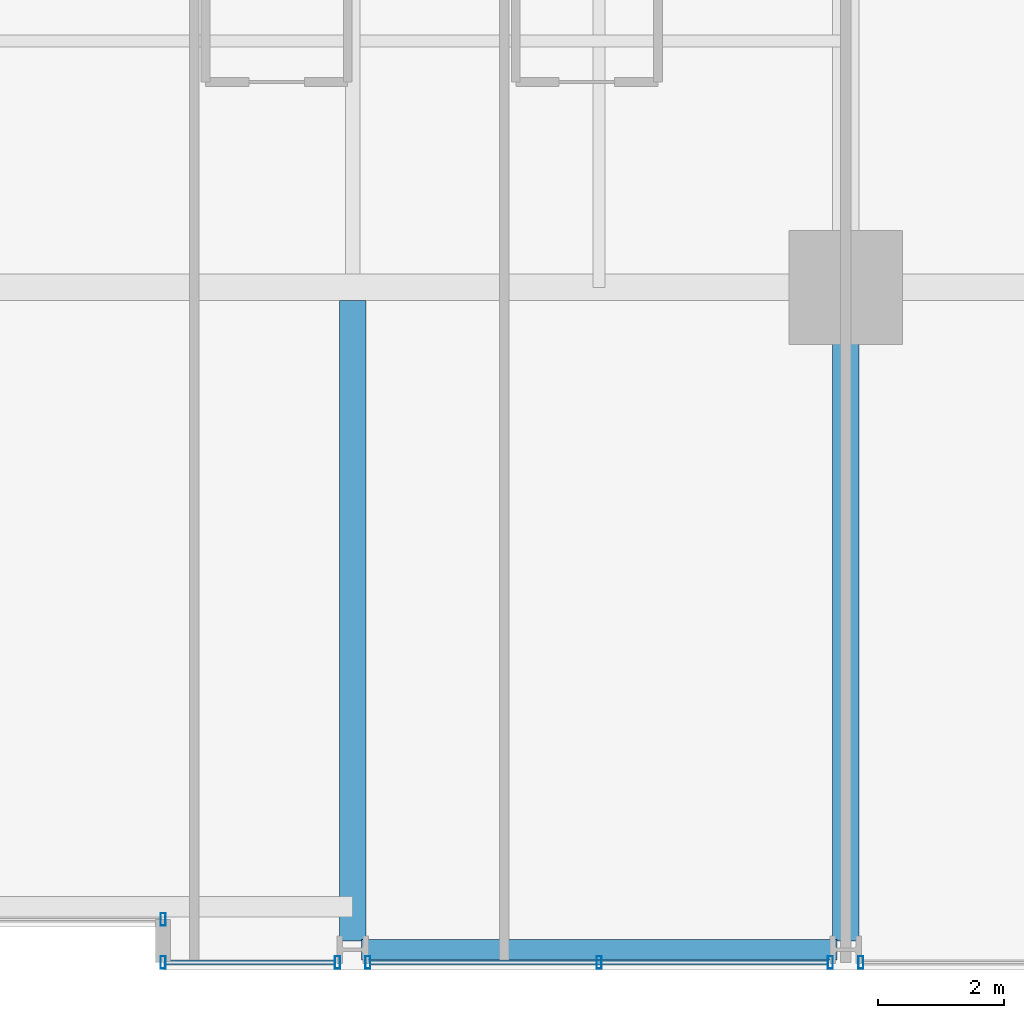
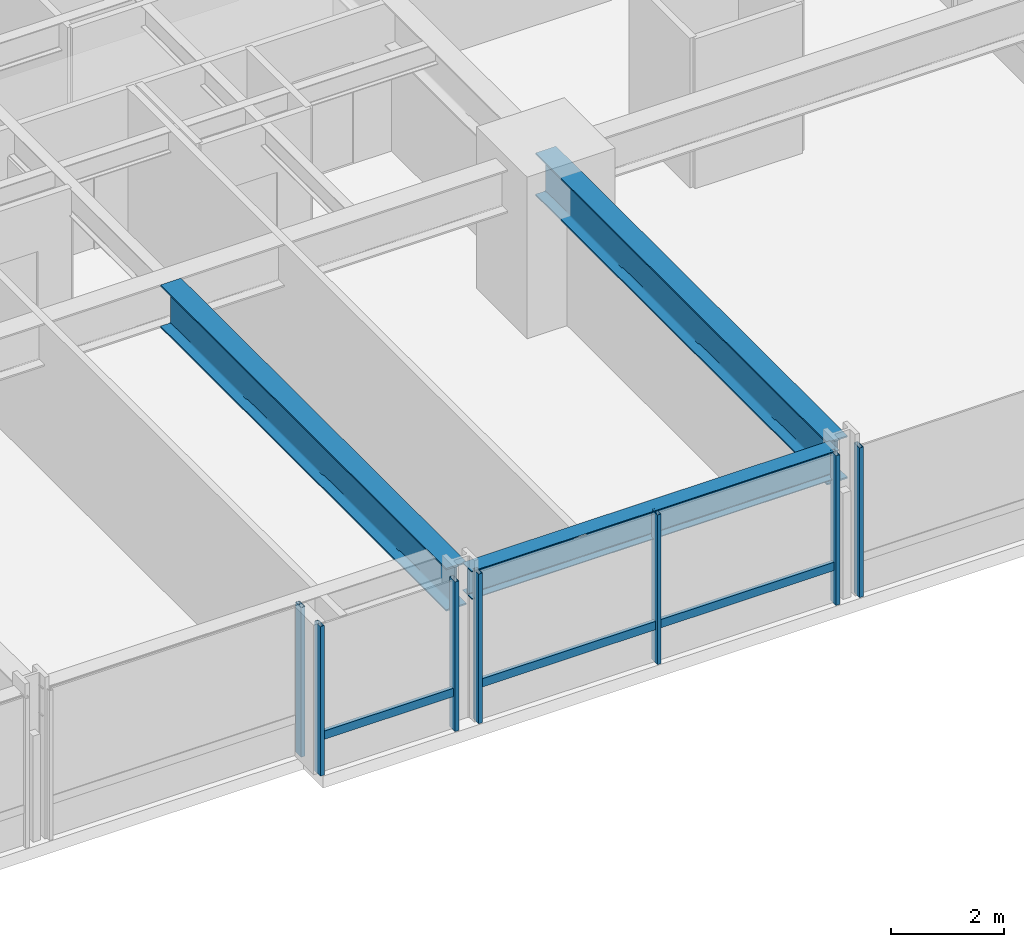
# One storey, part 11 of 39: 9 members, 3 beams, 4 elements without a shape of their own.
"""IFC4 building model written with IfcOpenShell, lengths in metres."""

from ifc_helpers import new_model, si_unit, direction, frame, origin, origin_2d, place, context, subcontext, project, spatial, hollow_rectangle, i_section, extrude, material, layer, layer_set, material_profile, profile_set, type_object, element, aggregate, save


model = new_model("IFC4")

# Units and contexts
model_context = context("Model", 3, precision=1e-05, world=origin(), true_north=direction((0.0, 1.0)))
body_context = subcontext(model_context, "Body", "Model", "MODEL_VIEW")
ifc_project = project(units=[si_unit("LENGTHUNIT", "METRE"), si_unit("AREAUNIT", "SQUARE_METRE"), si_unit("VOLUMEUNIT", "CUBIC_METRE"), si_unit("PLANEANGLEUNIT", "RADIAN"), si_unit("MASSUNIT", "GRAM", prefix="KILO")], contexts=[model_context])

# Site, building, storey
site_placement = place(None, origin())
site = spatial("IfcSite", under=ifc_project, at=site_placement, CompositionType="ELEMENT")
building_placement = place(site_placement, origin())
building = spatial("IfcBuilding", under=site, at=building_placement, Name="Drelvath Grand Hotel", CompositionType="ELEMENT")
storey_placement = place(building_placement, frame((0.0, 0.0, 40.199951171875)))
storey = spatial("IfcBuildingStorey", under=building, at=storey_placement, Name="L08", CompositionType="ELEMENT", Elevation=40.199951171875)

# Curtain wall, member
ifc_material_1 = material(Name="Warm Bronze Anodised Aluminium Frame", Category="aluminium")
ifc_layer = layer(ifc_material_1, 0.199951171875)
ifc_layer_set = layer_set([ifc_layer], Name="Warm Bronze Anodised Aluminium Frame")
curtain_wall_type = type_object("IfcCurtainWallType", Name="Stick Curtain Wall CW-02 Warm Bronze Low-Rise", PredefinedType="NOTDEFINED", material=ifc_layer_set)
curtain_wall_1_placement = place(storey_placement, origin())
curtain_wall_1 = element("IfcCurtainWall", 1, at=curtain_wall_1_placement, inside=storey, type_object=curtain_wall_type, Name="L08 CW-02 Curtain Wall CW02-L08-SE1", PredefinedType="NOTDEFINED")
ifc_material_profile_1 = material_profile(ifc_material_1, hollow_rectangle(XDim=0.074951171875, YDim=0.179931640625, WallThickness=0.0048828125, at=origin_2d()), Name="HSS180X75X5")
ifc_profile_set_1 = profile_set([ifc_material_profile_1], Name="Warm Bronze Anodised Aluminium Frame")
member_type_1 = type_object("IfcMemberType", Name="Curtain Wall Horizontal Transom CW-02 HSS180X75X5", PredefinedType="USERDEFINED", material=ifc_profile_set_1)
member_1_placement = place(storey_placement, frame((8.119140625, 0.1201171875, 0.81005859375), z_axis=(-1.0, 0.0, 0.0), x_axis=(0.0, -1.0, 0.0)))
member_1 = element("IfcMember", 2, at=member_1_placement, type_object=member_type_1, Name="CW02-L08-SE1 Sill Transom", ObjectType="TRANSOM", PredefinedType="USERDEFINED", context=body_context, shape_type="SweptSolid", body=[
    extrude(hollow_rectangle(XDim=0.074951171875, YDim=0.179931640625, WallThickness=0.0048828125, at=origin_2d()), origin(), (0.0, 0.0, 1.0), 2.67919921875),
])

curtain_wall_2_placement = place(storey_placement, origin())
curtain_wall_2 = element("IfcCurtainWall", 3, at=curtain_wall_2_placement, inside=storey, type_object=curtain_wall_type, Name="L08 CW-02 Curtain Wall CW02-L08-SE2", PredefinedType="NOTDEFINED")
member_2_placement = place(storey_placement, frame((15.919189453125, 0.1201171875, 0.81005859375), z_axis=(-1.0, 0.0, 0.0), x_axis=(0.0, -1.0, 0.0)))
member_2 = element("IfcMember", 4, at=member_2_placement, type_object=member_type_1, Name="CW02-L08-SE2 Sill Transom", ObjectType="TRANSOM", PredefinedType="USERDEFINED", context=body_context, shape_type="SweptSolid", body=[
    extrude(hollow_rectangle(XDim=0.074951171875, YDim=0.179931640625, WallThickness=0.0048828125, at=origin_2d()), origin(), (0.0, 0.0, 1.0), 7.23828125),
])

# Member
ifc_material_profile_2 = material_profile(ifc_material_1, hollow_rectangle(XDim=0.080078125, YDim=0.199951171875, WallThickness=0.0048828125, at=origin_2d()), Name="HSS200X80X5")
ifc_profile_set_2 = profile_set([ifc_material_profile_2], Name="Warm Bronze Anodised Aluminium Frame")
member_type_2 = type_object("IfcMemberType", Name="Curtain Wall Vertical Mullion CW-02 HSS200X80X5", PredefinedType="MULLION", material=ifc_profile_set_2)
member_3_placement = place(storey_placement, frame((8.1591796875, 0.1201171875, 0.0), z_axis=(0.0, 0.0, 1.0), x_axis=(1.0, 0.0, 0.0)))
member_3 = element("IfcMember", 5, at=member_3_placement, type_object=member_type_2, Name="CW02-L08-SE1 Mullion 1", PredefinedType="MULLION", context=body_context, shape_type="SweptSolid", body=[
    extrude(hollow_rectangle(XDim=0.080078125, YDim=0.199951171875, WallThickness=0.0048828125, at=origin_2d()), origin(), (0.0, 0.0, 1.0), 3.239990234375),
])

member_4_placement = place(storey_placement, frame((5.39990234375, 0.1201171875, 0.0), z_axis=(0.0, 0.0, 1.0), x_axis=(1.0, 0.0, 0.0)))
member_4 = element("IfcMember", 6, at=member_4_placement, type_object=member_type_2, Name="CW02-L08-SE1 Mullion 2", PredefinedType="MULLION", context=body_context, shape_type="SweptSolid", body=[
    extrude(hollow_rectangle(XDim=0.080078125, YDim=0.199951171875, WallThickness=0.0048828125, at=origin_2d()), origin(), (0.0, 0.0, 1.0), 3.239990234375),
])

aggregate(curtain_wall_1, [member_3, member_4, member_1])

member_5_placement = place(storey_placement, frame((15.958984375, 0.1201171875, 0.0), z_axis=(0.0, 0.0, 1.0), x_axis=(1.0, 0.0, 0.0)))
member_5 = element("IfcMember", 7, at=member_5_placement, type_object=member_type_2, Name="CW02-L08-SE2 Mullion 1", PredefinedType="MULLION", context=body_context, shape_type="SweptSolid", body=[
    extrude(hollow_rectangle(XDim=0.080078125, YDim=0.199951171875, WallThickness=0.0048828125, at=origin_2d()), origin(), (0.0, 0.0, 1.0), 3.239990234375),
])

member_6_placement = place(storey_placement, frame((12.300048828125, 0.1201171875, 0.0), z_axis=(0.0, 0.0, 1.0), x_axis=(1.0, 0.0, 0.0)))
member_6 = element("IfcMember", 8, at=member_6_placement, type_object=member_type_2, Name="CW02-L08-SE2 Mullion 2", PredefinedType="MULLION", context=body_context, shape_type="SweptSolid", body=[
    extrude(hollow_rectangle(XDim=0.080078125, YDim=0.199951171875, WallThickness=0.0048828125, at=origin_2d()), origin(), (0.0, 0.0, 1.0), 3.239990234375),
])

member_7_placement = place(storey_placement, frame((8.640869140625, 0.1201171875, 0.0), z_axis=(0.0, 0.0, 1.0), x_axis=(1.0, 0.0, 0.0)))
member_7 = element("IfcMember", 9, at=member_7_placement, type_object=member_type_2, Name="CW02-L08-SE2 Mullion 3", PredefinedType="MULLION", context=body_context, shape_type="SweptSolid", body=[
    extrude(hollow_rectangle(XDim=0.080078125, YDim=0.199951171875, WallThickness=0.0048828125, at=origin_2d()), origin(), (0.0, 0.0, 1.0), 3.239990234375),
])

aggregate(curtain_wall_2, [member_5, member_6, member_7, member_2])

# Curtain wall, member
curtain_wall_3_placement = place(storey_placement, origin())
curtain_wall_3 = element("IfcCurtainWall", 10, at=curtain_wall_3_placement, inside=storey, type_object=curtain_wall_type, Name="L08 CW-02 Curtain Wall CW02-L08-SE3", PredefinedType="NOTDEFINED")
member_8_placement = place(storey_placement, frame((16.44091796875, 0.1201171875, 0.0), z_axis=(0.0, 0.0, 1.0), x_axis=(1.0, 0.0, 0.0)))
member_8 = element("IfcMember", 11, at=member_8_placement, type_object=member_type_2, Name="CW02-L08-SE3 Mullion 3", PredefinedType="MULLION", context=body_context, shape_type="SweptSolid", body=[
    extrude(hollow_rectangle(XDim=0.080078125, YDim=0.199951171875, WallThickness=0.0048828125, at=origin_2d()), origin(), (0.0, 0.0, 1.0), 3.239990234375),
])
aggregate(curtain_wall_3, [member_8])

curtain_wall_4_placement = place(storey_placement, origin())
curtain_wall_4 = element("IfcCurtainWall", 12, at=curtain_wall_4_placement, inside=storey, type_object=curtain_wall_type, Name="L08 CW-02 Curtain Wall CW02-L08-SM2", PredefinedType="NOTDEFINED")
member_9_placement = place(storey_placement, frame((5.39990234375, 0.800048828125, 0.0), z_axis=(0.0, 0.0, 1.0), x_axis=(1.0, 0.0, 0.0)))
member_9 = element("IfcMember", 13, at=member_9_placement, type_object=member_type_2, Name="CW02-L08-SM2 Mullion 1", PredefinedType="MULLION", context=body_context, shape_type="SweptSolid", body=[
    extrude(hollow_rectangle(XDim=0.080078125, YDim=0.199951171875, WallThickness=0.0048828125, at=origin_2d()), origin(), (0.0, 0.0, 1.0), 3.239990234375),
])
aggregate(curtain_wall_4, [member_9])

# Beams
ifc_material_2 = material(Name="Steel ASTM A992 Gr 50", Category="steel")
ifc_material_profile_3 = material_profile(ifc_material_2, i_section(OverallWidth=0.323974609375, OverallDepth=0.611083984375, WebThickness=0.0126953125, FlangeThickness=0.01904296875, FilletRadius=0.02197265625, at=origin_2d()), Name="W24X104")
ifc_profile_set_3 = profile_set([ifc_material_profile_3], Name="Steel ASTM A992 Gr 50")
beam_type_1 = type_object("IfcBeamType", Name="Perimeter Spandrel Beam W24X104", PredefinedType="SPANDREL", material=ifc_profile_set_3)
beam_1_placement = place(storey_placement, frame((8.5400390625, 0.320068359375, 2.9345703125), z_axis=(1.0, 0.0, 0.0), x_axis=(0.0, 1.0, 0.0)))
element("IfcBeam", 14, at=beam_1_placement, inside=storey, type_object=beam_type_1, Name="L08 Spandrel South E", PredefinedType="SPANDREL", context=body_context, shape_type="SweptSolid", body=[
    extrude(i_section(OverallWidth=0.323974609375, OverallDepth=0.611083984375, WebThickness=0.0126953125, FlangeThickness=0.01904296875, FilletRadius=0.02197265625, at=origin_2d()), origin(), (0.0, 0.0, 1.0), 7.52001953125),
])
ifc_material_profile_4 = material_profile(ifc_material_2, i_section(OverallWidth=0.418212890625, OverallDepth=0.926513671875, WebThickness=0.019287109375, FlangeThickness=0.031982421875, FilletRadius=0.028076171875, at=origin_2d()), Name="W36X231")
ifc_profile_set_4 = profile_set([ifc_material_profile_4], Name="Steel ASTM A992 Gr 50")
beam_type_2 = type_object("IfcBeamType", Name="Primary Floor Girder W36X231", PredefinedType="BEAM", material=ifc_profile_set_4)
beam_2_placement = place(storey_placement, frame((16.199951171875, 0.4599609375, 2.77685546875), z_axis=(0.0, 1.0, 0.0), x_axis=(-1.0, 0.0, 0.0)))
element("IfcBeam", 15, at=beam_2_placement, inside=storey, type_object=beam_type_2, Name="L08 South Grid Girder 7", PredefinedType="BEAM", context=body_context, shape_type="SweptSolid", body=[
    extrude(i_section(OverallWidth=0.418212890625, OverallDepth=0.926513671875, WebThickness=0.019287109375, FlangeThickness=0.031982421875, FilletRadius=0.028076171875, at=origin_2d()), origin(), (0.0, 0.0, 1.0), 10.340087890625),
])
beam_3_placement = place(storey_placement, frame((8.39990234375, 0.4599609375, 2.77685546875), z_axis=(0.0, 1.0, 0.0), x_axis=(-1.0, 0.0, 0.0)))
element("IfcBeam", 16, at=beam_3_placement, inside=storey, type_object=beam_type_2, Name="L08 South Wing Girder 6", PredefinedType="BEAM", context=body_context, shape_type="SweptSolid", body=[
    extrude(i_section(OverallWidth=0.418212890625, OverallDepth=0.926513671875, WebThickness=0.019287109375, FlangeThickness=0.031982421875, FilletRadius=0.028076171875, at=origin_2d()), origin(), (0.0, 0.0, 1.0), 10.130859375),
])

save(model, "model.ifc")
